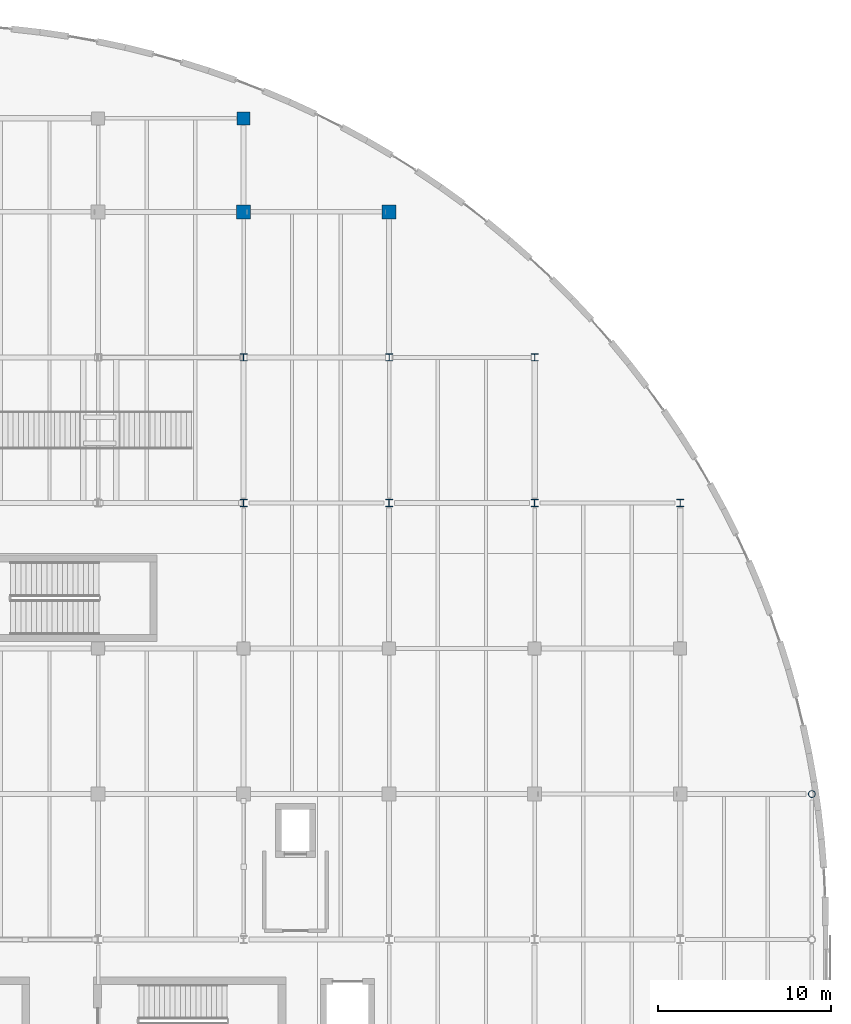
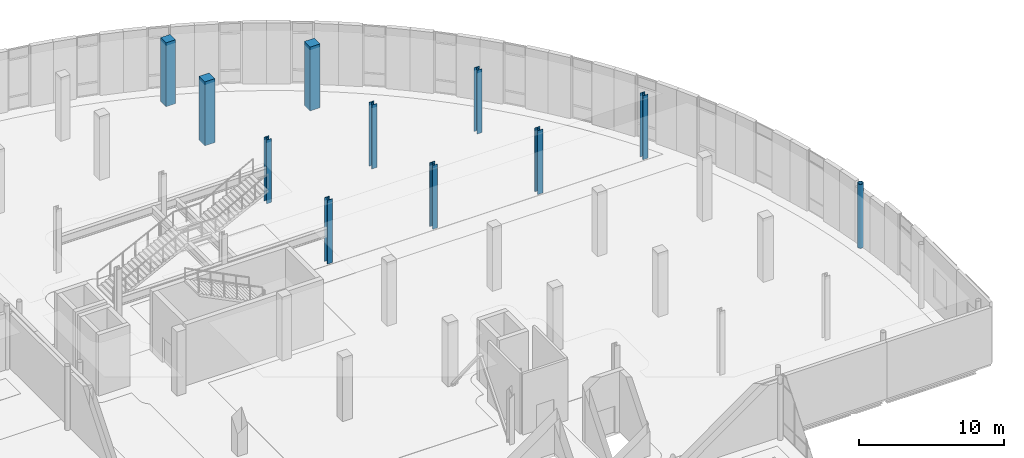
# One storey, part 14 of 110: 11 columns.
"""IFC4 building model written with IfcOpenShell, lengths in metres."""

from ifc_helpers import new_model, si_unit, direction, frame, origin, origin_2d, place, context, subcontext, project, spatial, rectangle, hollow_circle, i_section, extrude, material, material_profile, profile_set, type_object, element, save


model = new_model("IFC4")

# Units and contexts
model_context = context("Model", 3, precision=1e-05, world=origin(), true_north=direction((0.0, 1.0)))
body_context = subcontext(model_context, "Body", "Model", "MODEL_VIEW")
ifc_project = project(units=[si_unit("LENGTHUNIT", "METRE"), si_unit("AREAUNIT", "SQUARE_METRE"), si_unit("VOLUMEUNIT", "CUBIC_METRE"), si_unit("PLANEANGLEUNIT", "RADIAN"), si_unit("MASSUNIT", "GRAM", prefix="KILO"), si_unit("THERMODYNAMICTEMPERATUREUNIT", "KELVIN")], contexts=[model_context])

# Site, building, storey
site_placement = place(None, origin())
site = spatial("IfcSite", under=ifc_project, at=site_placement, CompositionType="ELEMENT")
building_placement = place(site_placement, origin())
building = spatial("IfcBuilding", under=site, at=building_placement, Name="Lustrewick Department Store", CompositionType="ELEMENT")
storey_placement = place(building_placement, frame((0.0, 0.0, 6.0)))
storey = spatial("IfcBuildingStorey", under=building, at=storey_placement, Name="L02", CompositionType="ELEMENT", Elevation=6.0)

# Columns
ifc_material_1 = material(Name="Structural steel Q355C", Category="steel")
ifc_material_profile_1 = material_profile(ifc_material_1, i_section(OverallWidth=0.405029296875, OverallDepth=0.4140625, WebThickness=0.01806640625, FlangeThickness=0.028076171875, FilletRadius=0.02197265625, at=origin_2d()), Name="HW 414x405x18x28")
ifc_profile_set_1 = profile_set([ifc_material_profile_1], Name="Structural steel Q355C")
column_type_1 = type_object("IfcColumnType", Name="C10", PredefinedType="COLUMN", material=ifc_profile_set_1)
for number, where, z_axis, x_axis, name in (
    (1, (134.39990234375, 84.0, 0.0), (0.0, 0.0, 1.0), (1.0, 0.0, 0.0), "L02 V4 Column C10"),
    (2, (142.800048828125, 84.0, 0.0), (0.0, 0.0, 1.0), (1.0, 0.0, 0.0), "L02 V4 Column C10"),
    (3, (151.199951171875, 84.0, 0.0), (0.0, 0.0, 1.0), (1.0, 0.0, 0.0), "L02 V4 Column C10"),
    (4, (159.60009765625, 84.0, 0.0), (0.0, 0.0, 1.0), (1.0, 0.0, 0.0), "L02 V4 Column C10"),
):
    element("IfcColumn", number, at=place(storey_placement, frame(where, z_axis=z_axis, x_axis=x_axis)), inside=storey, type_object=column_type_1, Name=name, PredefinedType="COLUMN", context=body_context, shape_type="SweptSolid", body=[
        extrude(i_section(OverallWidth=0.405029296875, OverallDepth=0.4140625, WebThickness=0.01806640625, FlangeThickness=0.028076171875, FilletRadius=0.02197265625, at=origin_2d()), origin(), (0.0, 0.0, 1.0), 5.39990234375),
    ])
ifc_material_2 = material(Name="Structural steel Q355B", Category="steel")
ifc_material_profile_2 = material_profile(ifc_material_2, i_section(OverallWidth=0.39990234375, OverallDepth=0.39990234375, WebThickness=0.012939453125, FlangeThickness=0.02099609375, FilletRadius=0.02197265625, at=origin_2d()), Name="HW 400x400x13x21")
ifc_profile_set_2 = profile_set([ifc_material_profile_2], Name="Structural steel Q355B")
column_type_2 = type_object("IfcColumnType", Name="C11", PredefinedType="COLUMN", material=ifc_profile_set_2)
for number, where, z_axis, x_axis, name in (
    (5, (134.39990234375, 92.39990234375, 0.0), (0.0, 0.0, 1.0), (1.0, 0.0, 0.0), "L02 V4 Column C11"),
    (6, (142.800048828125, 92.39990234375, 0.0), (0.0, 0.0, 1.0), (1.0, 0.0, 0.0), "L02 V4 Column C11"),
    (7, (151.199951171875, 92.39990234375, 0.0), (0.0, 0.0, 1.0), (1.0, 0.0, 0.0), "L02 V4 Column C11"),
):
    element("IfcColumn", number, at=place(storey_placement, frame(where, z_axis=z_axis, x_axis=x_axis)), inside=storey, type_object=column_type_2, Name=name, PredefinedType="COLUMN", context=body_context, shape_type="SweptSolid", body=[
        extrude(i_section(OverallWidth=0.39990234375, OverallDepth=0.39990234375, WebThickness=0.012939453125, FlangeThickness=0.02099609375, FilletRadius=0.02197265625, at=origin_2d()), origin(), (0.0, 0.0, 1.0), 5.39990234375),
    ])
ifc_material_3 = material(Name="Concrete C40", Category="concrete")
ifc_material_profile_3 = material_profile(ifc_material_3, rectangle(XDim=0.800048828125, YDim=0.800048828125, at=origin_2d()), Name="RC 800x800")
ifc_profile_set_3 = profile_set([ifc_material_profile_3], Name="Concrete C40")
column_type_3 = type_object("IfcColumnType", Name="C19", PredefinedType="COLUMN", material=ifc_profile_set_3)
for number, where, z_axis, x_axis, name in (
    (8, (134.39990234375, 100.800048828125, 0.0), (0.0, 0.0, 1.0), (1.0, 0.0, 0.0), "L02 V4 Column C19"),
    (9, (142.800048828125, 100.800048828125, 0.0), (0.0, 0.0, 1.0), (1.0, 0.0, 0.0), "L02 V4 Column C19"),
):
    element("IfcColumn", number, at=place(storey_placement, frame(where, z_axis=z_axis, x_axis=x_axis)), inside=storey, type_object=column_type_3, Name=name, PredefinedType="COLUMN", context=body_context, shape_type="SweptSolid", body=[
        extrude(rectangle(XDim=0.800048828125, YDim=0.800048828125, at=origin_2d()), origin(), (0.0, 0.0, 1.0), 5.39990234375),
    ])
ifc_material_profile_4 = material_profile(ifc_material_3, rectangle(XDim=0.75, YDim=0.75, at=origin_2d()), Name="RC 750x750")
ifc_profile_set_4 = profile_set([ifc_material_profile_4], Name="Concrete C40")
column_type_4 = type_object("IfcColumnType", Name="C20", PredefinedType="COLUMN", material=ifc_profile_set_4)
column_1_placement = place(storey_placement, frame((134.39990234375, 106.199951171875, 0.0), z_axis=(0.0, 0.0, 1.0), x_axis=(1.0, 0.0, 0.0)))
element("IfcColumn", 10, at=column_1_placement, inside=storey, type_object=column_type_4, Name="L02 V4 Column C20", PredefinedType="COLUMN", context=body_context, shape_type="SweptSolid", body=[
    extrude(rectangle(XDim=0.75, YDim=0.75, at=origin_2d()), origin(), (0.0, 0.0, 1.0), 5.39990234375),
])
ifc_material_profile_5 = material_profile(ifc_material_1, hollow_circle(Radius=0.202880859375, WallThickness=0.01611328125, at=origin_2d()), Name="CHS 406x16")
ifc_profile_set_5 = profile_set([ifc_material_profile_5], Name="Structural steel Q355C")
column_type_5 = type_object("IfcColumnType", Name="CE03", PredefinedType="COLUMN", material=ifc_profile_set_5)
column_2_placement = place(storey_placement, frame((167.199951171875, 67.199951171875, 0.0), z_axis=(0.0, 0.0, 1.0), x_axis=(1.0, 0.0, 0.0)))
element("IfcColumn", 11, at=column_2_placement, inside=storey, type_object=column_type_5, Name="L02 V4 Column CE03", PredefinedType="COLUMN", context=body_context, shape_type="SweptSolid", body=[
    extrude(hollow_circle(Radius=0.202880859375, WallThickness=0.01611328125, at=origin_2d()), origin(), (0.0, 0.0, 1.0), 5.39990234375),
])

save(model, "model.ifc")
